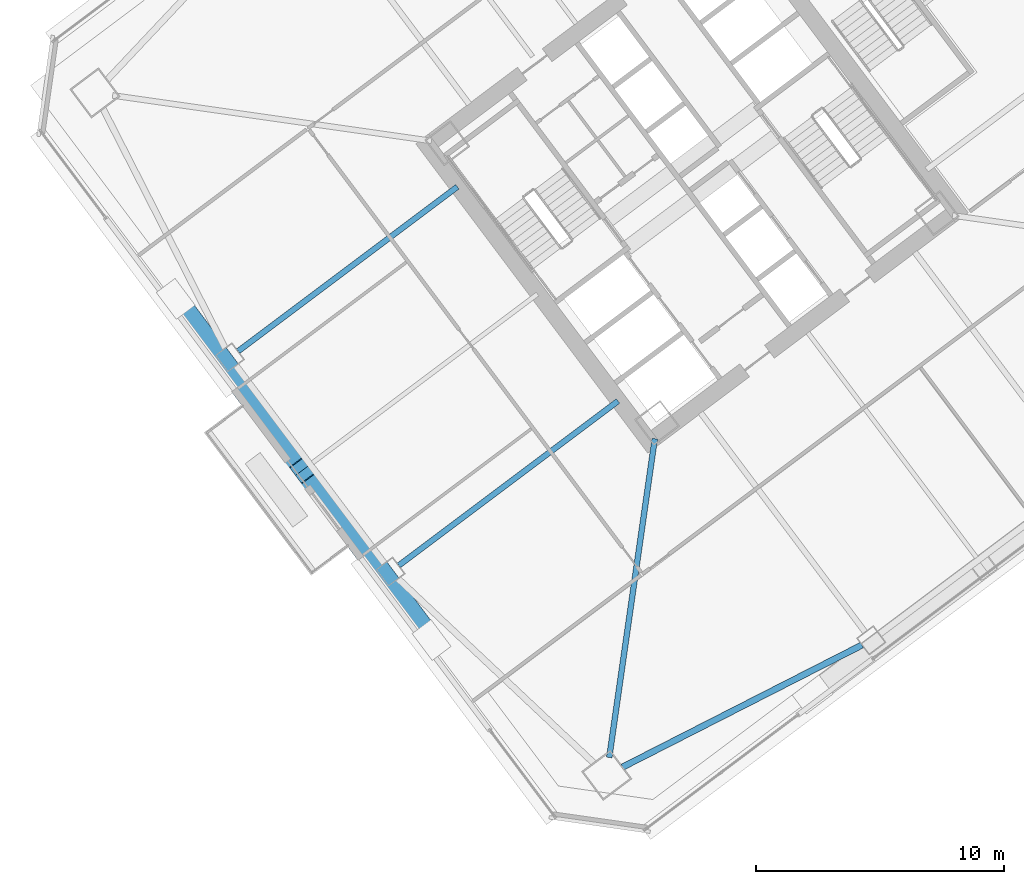
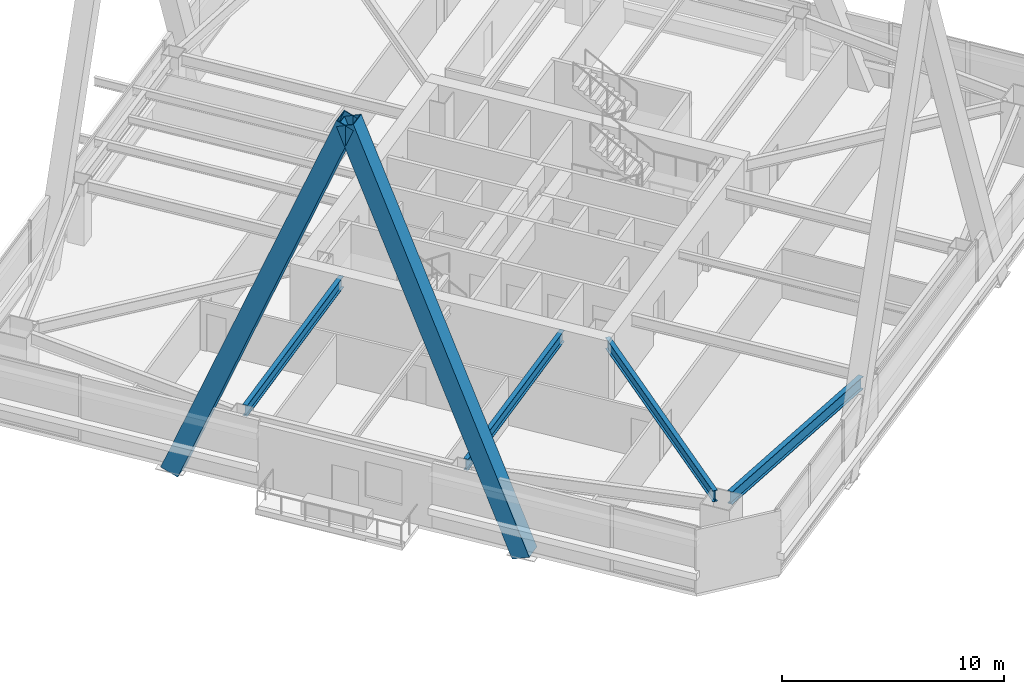
# One storey, part 25 of 54: 4 beams, 2 members.
"""IFC4 building model written with IfcOpenShell, lengths in metres."""

from ifc_helpers import new_model, si_unit, direction, frame, origin, origin_2d, place, context, subcontext, project, spatial, hollow_rectangle, i_section, extrude, material, material_profile, profile_set, type_object, element, save


model = new_model("IFC4")

# Units and contexts
model_context = context("Model", 3, precision=1e-05, world=origin(), true_north=direction((0.0, 1.0)))
body_context = subcontext(model_context, "Body", "Model", "MODEL_VIEW")
ifc_project = project(units=[si_unit("LENGTHUNIT", "METRE"), si_unit("AREAUNIT", "SQUARE_METRE"), si_unit("VOLUMEUNIT", "CUBIC_METRE"), si_unit("PLANEANGLEUNIT", "RADIAN"), si_unit("MASSUNIT", "GRAM", prefix="KILO")], contexts=[model_context])

# Site, building, storey
site_placement = place(None, origin())
site = spatial("IfcSite", under=ifc_project, at=site_placement, CompositionType="ELEMENT")
building_placement = place(site_placement, origin())
building = spatial("IfcBuilding", under=site, at=building_placement, Name="Tashvorn Skyway Center", CompositionType="ELEMENT")
storey_placement = place(building_placement, frame((0.0, 0.0, 88.5)))
storey = spatial("IfcBuildingStorey", under=building, at=storey_placement, Name="L23", CompositionType="ELEMENT", Elevation=88.5)

# Beams
ifc_material_1 = material(Name="Steel ASTM A992 Grade 50", Category="steel")
ifc_material_profile_1 = material_profile(ifc_material_1, i_section(OverallWidth=0.22998046875, OverallDepth=0.616943359375, WebThickness=0.01318359375, FlangeThickness=0.022216796875, at=origin_2d()), Name="W24X94")
ifc_profile_set_1 = profile_set([ifc_material_profile_1], Name="Steel ASTM A992 Grade 50")
beam_type_1 = type_object("IfcBeamType", Name="BM-BEAM-W24X94", PredefinedType="BEAM", material=ifc_profile_set_1)
beam_1_placement = place(storey_placement, frame((110.661865234375, 8.6328125, 3.04150390625), z_axis=(0.141418724841, 0.989949869571, 0.0), x_axis=(-0.989949869571, 0.141418724841, 0.0)))
element("IfcBeam", 1, at=beam_1_placement, inside=storey, type_object=beam_type_1, Name="Tower 2 L23 Primary Floor Girder MC-SW", PredefinedType="BEAM", context=body_context, shape_type="SweptSolid", body=[
    extrude(i_section(OverallWidth=0.22998046875, OverallDepth=0.616943359375, WebThickness=0.01318359375, FlangeThickness=0.022216796875, at=origin_2d()), origin(), (0.0, 0.0, 1.0), 12.9892578125),
])
for number, where, z_axis, x_axis, name in (
    (2, (95.696044921875, 25.02197265625, 3.04150390625), (0.799989394625, 0.60001414024, 0.0), (-0.60001414024, 0.799989394625, 0.0), "Tower 2 L23 Primary Floor Girder FC-W1"),
    (3, (102.176025390625, 16.382080078125, 3.04150390625), (0.800007953832, 0.599989394744, 0.0), (-0.599989394744, 0.800007953832, 0.0), "Tower 2 L23 Primary Floor Girder FC-W2"),
):
    element("IfcBeam", number, at=place(storey_placement, frame(where, z_axis=z_axis, x_axis=x_axis)), inside=storey, type_object=beam_type_1, Name=name, PredefinedType="BEAM", context=body_context, shape_type="SweptSolid", body=[
        extrude(i_section(OverallWidth=0.22998046875, OverallDepth=0.616943359375, WebThickness=0.01318359375, FlangeThickness=0.022216796875, at=origin_2d()), origin(), (0.0, 0.0, 1.0), 11.050048828125),
    ])
ifc_material_profile_2 = material_profile(ifc_material_1, i_section(OverallWidth=0.256103515625, OverallDepth=0.693115234375, WebThickness=0.014404296875, FlangeThickness=0.023681640625, at=origin_2d()), Name="W27X114")
ifc_profile_set_2 = profile_set([ifc_material_profile_2], Name="Steel ASTM A992 Grade 50")
beam_type_2 = type_object("IfcBeamType", Name="BM-SPANDREL-W27X114", PredefinedType="SPANDREL", material=ifc_profile_set_2)
beam_2_placement = place(storey_placement, frame((111.201416015625, 8.2470703125, 3.00341796875), z_axis=(0.890894170442, 0.454210938961, 0.0), x_axis=(-0.454210938961, 0.890894170442, 0.0)))
element("IfcBeam", 4, at=beam_2_placement, inside=storey, type_object=beam_type_2, Name="Tower 2 L23 Spandrel Beam 01", PredefinedType="SPANDREL", context=body_context, shape_type="SweptSolid", body=[
    extrude(i_section(OverallWidth=0.256103515625, OverallDepth=0.693115234375, WebThickness=0.014404296875, FlangeThickness=0.023681640625, at=origin_2d()), origin(), (0.0, 0.0, 1.0), 10.836669921875),
])

# Members
ifc_material_2 = material(Name="Steel ASTM A572 Grade 50", Category="steel")
ifc_material_profile_3 = material_profile(ifc_material_2, hollow_rectangle(XDim=0.89990234375, YDim=0.89990234375, WallThickness=0.0400390625, at=origin_2d()), Name="BOX900x900x40")
ifc_profile_set_3 = profile_set([ifc_material_profile_3], Name="Steel ASTM A572 Grade 50")
member_type = type_object("IfcMemberType", Name="MEM-MB-900", PredefinedType="BRACE", material=ifc_profile_set_3)
for number, where, z_axis, x_axis, name in (
    (5, (93.176025390625, 27.132080078125, -0.449951171875), (0.223728086207, -0.29831470061, 0.927876113952), (0.800010219666, 0.599986373537, 0.0), "Tower 2 Zone 2 W Chevron Mega-Brace L2"),
    (6, (103.49609375, 13.3720703125, -0.449951171875), (-0.223738848502, 0.298304350435, 0.927876846452), (-0.79998637334, -0.60001816845, 0.0), "Tower 2 Zone 2 W Chevron Mega-Brace R2"),
):
    element("IfcMember", number, at=place(storey_placement, frame(where, z_axis=z_axis, x_axis=x_axis)), inside=storey, type_object=member_type, Name=name, PredefinedType="BRACE", context=body_context, shape_type="SweptSolid", body=[
        extrude(hollow_rectangle(XDim=0.89990234375, YDim=0.89990234375, WallThickness=0.0400390625, at=origin_2d()), origin(), (0.0, 0.0, 1.0), 23.063232421875),
    ])

save(model, "model.ifc")
